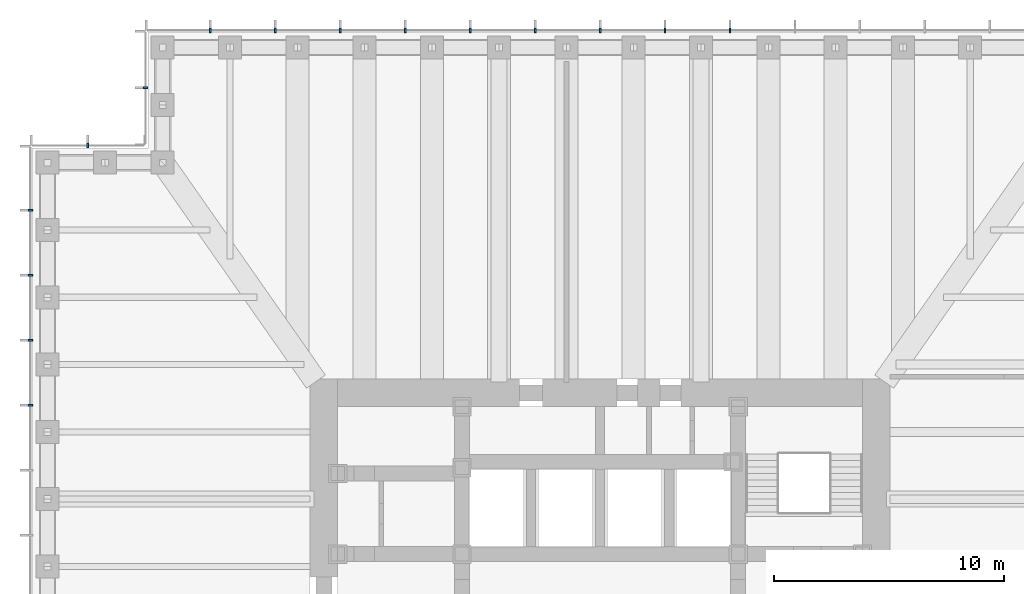
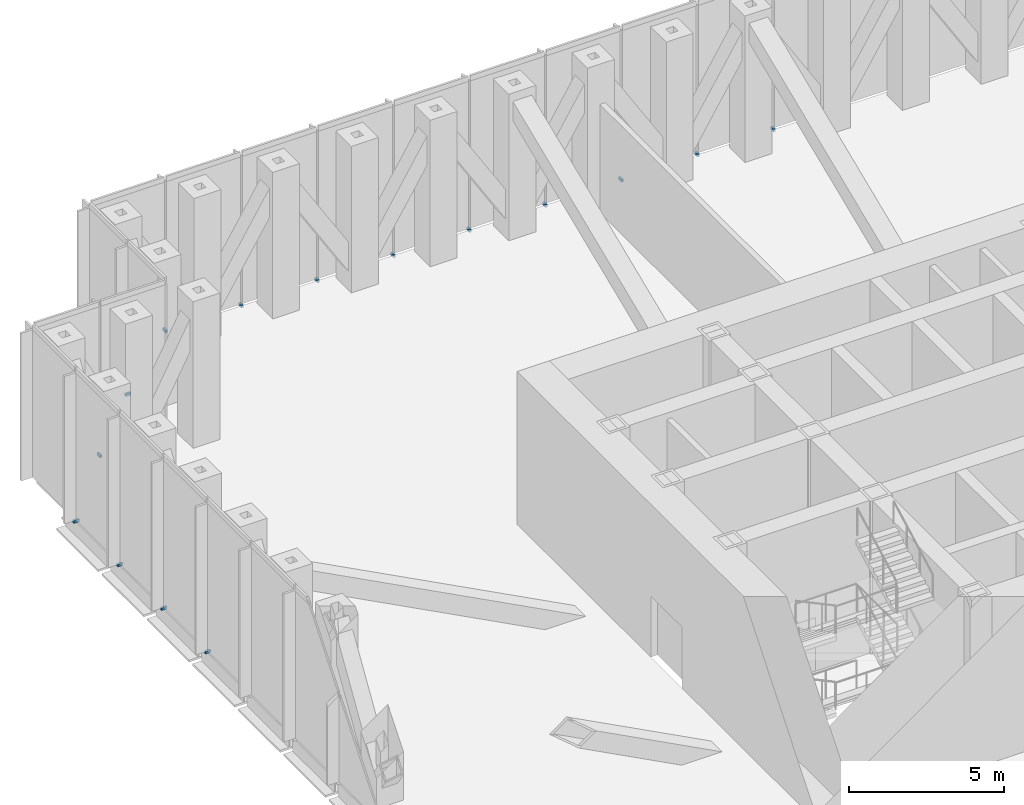
# One storey, part 13 of 15: 15 discrete accessories.
"""IFC4 building model written with IfcOpenShell, lengths in metres."""

import ifcopenshell
import ifcopenshell.guid

model = None  # the IFC model being written
_history = None  # IfcOwnerHistory: only IFC2X3 demands one
_inside = {}  # id of a spatial element -> (the spatial element, [elements in it])
_under = {}  # id of a project, library or spatial element -> (it, [spatial elements below it])
_declared = {}  # id of a project -> (the project, [libraries it declares])
_typed = {}  # id of a type object -> (the type object, [elements of that type])
_made_of = {}  # id of a material, layer set ... -> (it, [elements and type objects made of it])


def new_model(schema):
    """Start an empty IFC model of exactly this schema.

    Asked for "IFC4X3", IfcOpenShell would pick the latest addendum, in which some entities
    have other attributes; the version numbers below select the first issue.
    IFC2X3 requires an IfcOwnerHistory on every rooted entity: one is made here for all.
    """
    global model, _history
    if schema == "IFC4X3":
        model = ifcopenshell.file(schema_version=(4, 3, 0, 0))
    else:
        model = ifcopenshell.file(schema=schema)
    _inside.clear()
    _under.clear()
    _declared.clear()
    _typed.clear()
    _made_of.clear()
    _history = None
    if model.schema == "IFC2X3":
        org = make("IfcOrganization", Name="unknown")
        user = make(
            "IfcPersonAndOrganization",
            ThePerson=make("IfcPerson", FamilyName="unknown"),
            TheOrganization=org,
        )
        app = make(
            "IfcApplication",
            ApplicationDeveloper=org,
            Version="unknown",
            ApplicationFullName="unknown",
            ApplicationIdentifier="unknown",
        )
        _history = make(
            "IfcOwnerHistory",
            OwningUser=user,
            OwningApplication=app,
            ChangeAction="ADDED",
            CreationDate=0,
        )
    return model


def make(cls, **values):
    """One entity of the class cls with the attributes given. An attribute that is None is left unset."""
    return model.create_entity(
        cls, **{name: value for name, value in values.items() if value is not None}
    )


def rooted(cls, **values):
    """An entity with a GlobalId (a new one), such as an element, a storey or a relation."""
    return make(cls, GlobalId=ifcopenshell.guid.new(), OwnerHistory=_history, **values)


def si_unit(unit_type, name, prefix=None):
    """IfcSIUnit, for example si_unit("LENGTHUNIT", "METRE", prefix="MILLI")."""
    return make("IfcSIUnit", UnitType=unit_type, Prefix=prefix, Name=name)


def assignment(units):
    """IfcUnitAssignment: the units of a project."""
    return None if units is None else make("IfcUnitAssignment", Units=units)


def point(xyz):
    """IfcCartesianPoint."""
    return None if xyz is None else make("IfcCartesianPoint", Coordinates=xyz)


def direction(xyz):
    """IfcDirection."""
    return None if xyz is None else make("IfcDirection", DirectionRatios=xyz)


def frame(location, z_axis=None, x_axis=None):
    """IfcAxis2Placement3D, a coordinate frame: its origin and axes. An axis left out is left unset."""
    return make(
        "IfcAxis2Placement3D",
        Location=point(location),
        Axis=direction(z_axis),
        RefDirection=direction(x_axis),
    )


def frame_2d(location, x_axis=None):
    """IfcAxis2Placement2D, a coordinate frame in the plane: its origin and x axis."""
    return make(
        "IfcAxis2Placement2D", Location=point(location), RefDirection=direction(x_axis)
    )


def origin():
    """The frame at (0, 0, 0) with its axes left unset."""
    return frame((0.0, 0.0, 0.0))


def origin_2d():
    """The frame at (0, 0) in the plane with its x axis left unset."""
    return frame_2d((0.0, 0.0))


def place(relative_to, where):
    """IfcLocalPlacement: puts the frame where relative to a parent placement (None: the world)."""
    return make(
        "IfcLocalPlacement", PlacementRelTo=relative_to, RelativePlacement=where
    )


def context(
    kind, dimensions, precision=None, world=None, true_north=None, identifier=None
):
    """IfcGeometricRepresentationContext, for example the 3D "Model" context."""
    return make(
        "IfcGeometricRepresentationContext",
        ContextIdentifier=identifier,
        ContextType=kind,
        CoordinateSpaceDimension=dimensions,
        Precision=precision,
        WorldCoordinateSystem=world,
        TrueNorth=true_north,
    )


def subcontext(parent, identifier, kind, view, scale=None):
    """IfcGeometricRepresentationSubContext, for example "Body" below "Model"."""
    return make(
        "IfcGeometricRepresentationSubContext",
        ContextIdentifier=identifier,
        ContextType=kind,
        ParentContext=parent,
        TargetScale=scale,
        TargetView=view,
    )


def project(units=None, contexts=None):
    """IfcProject with its units and contexts."""
    return rooted(
        "IfcProject",
        Name="project",
        RepresentationContexts=contexts,
        UnitsInContext=assignment(units),
    )


def spatial(cls, under=None, at=None, **own):
    """A site, building, storey or space (cls), placed at a placement, below another one or the project."""
    s = rooted(cls, ObjectPlacement=at, **own)
    if under is not None:
        _under.setdefault(under.id(), (under, []))[1].append(s)
    return s


def profile(cls, at=None, kind="AREA", **sizes):
    """A parametric profile (cls). Its sizes go by their IFC names, for example OverallWidth=200.0."""
    return make(cls, ProfileType=kind, Position=at, **sizes)


def rectangle(**sizes):
    """IfcRectangleProfileDef."""
    return profile("IfcRectangleProfileDef", **sizes)


def extrude(swept, where, along, depth):
    """IfcExtrudedAreaSolid: the profile swept, set in the frame where, extruded along a direction by depth."""
    return make(
        "IfcExtrudedAreaSolid",
        SweptArea=swept,
        Position=where,
        ExtrudedDirection=direction(along),
        Depth=depth,
    )


def shape(context_of_items, identifier, shape_type, items):
    """IfcShapeRepresentation: the items that make up one representation, for example the "Body"."""
    return make(
        "IfcShapeRepresentation",
        ContextOfItems=context_of_items,
        RepresentationIdentifier=identifier,
        RepresentationType=shape_type,
        Items=items,
    )


def made_of(thing, what):
    """Note that an element or type object is made of a material, layer set ...; save() writes the relation."""
    if what is not None:
        _made_of.setdefault(what.id(), (what, []))[1].append(thing)
    return thing


def element(
    cls,
    number,
    at=None,
    inside=None,
    cuts=None,
    type_object=None,
    material=None,
    context=None,
    identifier="Body",
    shape_type=None,
    held_by="IfcProductDefinitionShape",
    body=None,
    shapes=None,
    **own,
):
    """One element of the class cls, such as IfcWall. Its Tag is "e" and its number.

    at: its placement. inside: the storey or other place that contains it. cuts: it is an
    opening in that element (IfcRelVoidsElement). A single representation is given by context,
    identifier, shape_type and body (its items); several are given by shapes. held_by: the class
    of the entity that holds the representations. save() writes the other relations.
    """
    e = rooted(cls, Tag="e%d" % number, ObjectPlacement=at, **own)
    if body is not None:
        shapes = [shape(context, identifier, shape_type, body)]
    if shapes is not None:
        e.Representation = make(held_by, Representations=shapes)
    if inside is not None:
        _inside.setdefault(inside.id(), (inside, []))[1].append(e)
    if cuts is not None:
        rooted(
            "IfcRelVoidsElement", RelatingBuildingElement=cuts, RelatedOpeningElement=e
        )
    if type_object is not None:
        _typed.setdefault(type_object.id(), (type_object, []))[1].append(e)
    return made_of(e, material)


def aggregate(whole, parts):
    """IfcRelAggregates: a whole, such as a stair, and the parts it consists of."""
    return rooted("IfcRelAggregates", RelatingObject=whole, RelatedObjects=parts)


def save(model, path):
    """Write the relations noted so far, then the file.

    IfcRelAggregates (storeys below a building ...), IfcRelContainedInSpatialStructure (elements
    in a storey), IfcRelDefinesByType, IfcRelAssociatesMaterial and IfcRelDeclares: one each for
    every whole, place, type object, material and project.
    """
    for whole, parts in _under.values():
        aggregate(whole, parts)
    for where, things in _inside.values():
        rooted(
            "IfcRelContainedInSpatialStructure",
            RelatedElements=things,
            RelatingStructure=where,
        )
    for kind, things in _typed.values():
        rooted("IfcRelDefinesByType", RelatedObjects=things, RelatingType=kind)
    for what, things in _made_of.values():
        rooted("IfcRelAssociatesMaterial", RelatedObjects=things, RelatingMaterial=what)
    for by, libraries in _declared.values():
        rooted("IfcRelDeclares", RelatingContext=by, RelatedDefinitions=libraries)
    model.write(path)


model = new_model("IFC4")

# Units and contexts
model_context = context("Model", 3, precision=1e-05, world=origin(), true_north=direction((0.0, 1.0)))
body_context = subcontext(model_context, "Body", "Model", "MODEL_VIEW")
ifc_project = project(units=[si_unit("LENGTHUNIT", "METRE"), si_unit("AREAUNIT", "SQUARE_METRE"), si_unit("VOLUMEUNIT", "CUBIC_METRE"), si_unit("PLANEANGLEUNIT", "RADIAN"), si_unit("MASSUNIT", "GRAM", prefix="KILO")], contexts=[model_context])

# Site, building, storey
site_placement = place(None, origin())
site = spatial("IfcSite", under=ifc_project, at=site_placement, CompositionType="ELEMENT")
building_placement = place(site_placement, origin())
building = spatial("IfcBuilding", under=site, at=building_placement, Name="Daluyong Arena Tower", CompositionType="ELEMENT")
storey_placement = place(building_placement, frame((0.0, 0.0, 102.10009765625)))
storey = spatial("IfcBuildingStorey", under=building, at=storey_placement, Name="L22", CompositionType="ELEMENT", Elevation=102.10009765625)

# Discrete accessories
for number, where, z_axis, x_axis, name in (
    (1, (61.642822265625, 104.75, -0.10009765625), (0.0, 0.0, 1.0), (-1.0, 0.0, 0.0), "curtain wall L22 N anchor bracket 6"),
    (2, (58.821533203125, 104.75, -0.10009765625), (0.0, 0.0, 1.0), (-1.0, 0.0, 0.0), "curtain wall L22 N anchor bracket 7"),
    (3, (56.0, 104.75, -0.10009765625), (0.0, 0.0, 1.0), (-1.0, 0.0, 0.0), "curtain wall L22 N anchor bracket 8"),
    (4, (53.178466796875, 104.75, -0.10009765625), (0.0, 0.0, 1.0), (-1.0, 0.0, 0.0), "curtain wall L22 N anchor bracket 9"),
    (5, (50.357177734375, 104.75, -0.10009765625), (0.0, 0.0, 1.0), (-1.0, 0.0, 0.0), "curtain wall L22 N anchor bracket 10"),
    (6, (47.53564453125, 104.75, -0.10009765625), (0.0, 0.0, 1.0), (-1.0, 0.0, 0.0), "curtain wall L22 N anchor bracket 11"),
    (7, (44.71435546875, 104.75, -0.10009765625), (0.0, 0.0, 1.0), (-1.0, 0.0, 0.0), "curtain wall L22 N anchor bracket 12"),
    (8, (41.892822265625, 104.75, -0.10009765625), (0.0, 0.0, 1.0), (-1.0, 0.0, 0.0), "curtain wall L22 N anchor bracket 13"),
    (9, (39.071533203125, 104.75, -0.10009765625), (0.0, 0.0, 1.0), (-1.0, 0.0, 0.0), "curtain wall L22 N anchor bracket 14"),
    (10, (36.25, 102.25, -0.10009765625), (0.0, 0.0, 1.0), (0.0, -1.0, 0.0), "curtain wall L22 NW-W anchor bracket 2"),
    (11, (33.75, 99.75, -0.10009765625), (0.0, 0.0, 1.0), (-1.0, 0.0, 0.0), "curtain wall L22 NW-N anchor bracket 2"),
    (12, (31.25, 96.928466796875, -0.10009765625), (0.0, 0.0, 1.0), (0.0, -1.0, 0.0), "curtain wall L22 W anchor bracket 2"),
    (13, (31.25, 94.107177734375, -0.10009765625), (0.0, 0.0, 1.0), (0.0, -1.0, 0.0), "curtain wall L22 W anchor bracket 3"),
    (14, (31.25, 91.28564453125, -0.10009765625), (0.0, 0.0, 1.0), (0.0, -1.0, 0.0), "curtain wall L22 W anchor bracket 4"),
    (15, (31.25, 88.46435546875, -0.10009765625), (0.0, 0.0, 1.0), (0.0, -1.0, 0.0), "curtain wall L22 W anchor bracket 5"),
):
    element("IfcDiscreteAccessory", number, at=place(storey_placement, frame(where, z_axis=z_axis, x_axis=x_axis)), inside=storey, Name=name, PredefinedType="BRACKET", context=body_context, shape_type="SweptSolid", body=[
        extrude(rectangle(XDim=0.080078125, YDim=0.199951171875, at=origin_2d()), origin(), (0.0, 0.0, 1.0), 0.10009765625),
    ])

save(model, "model.ifc")
